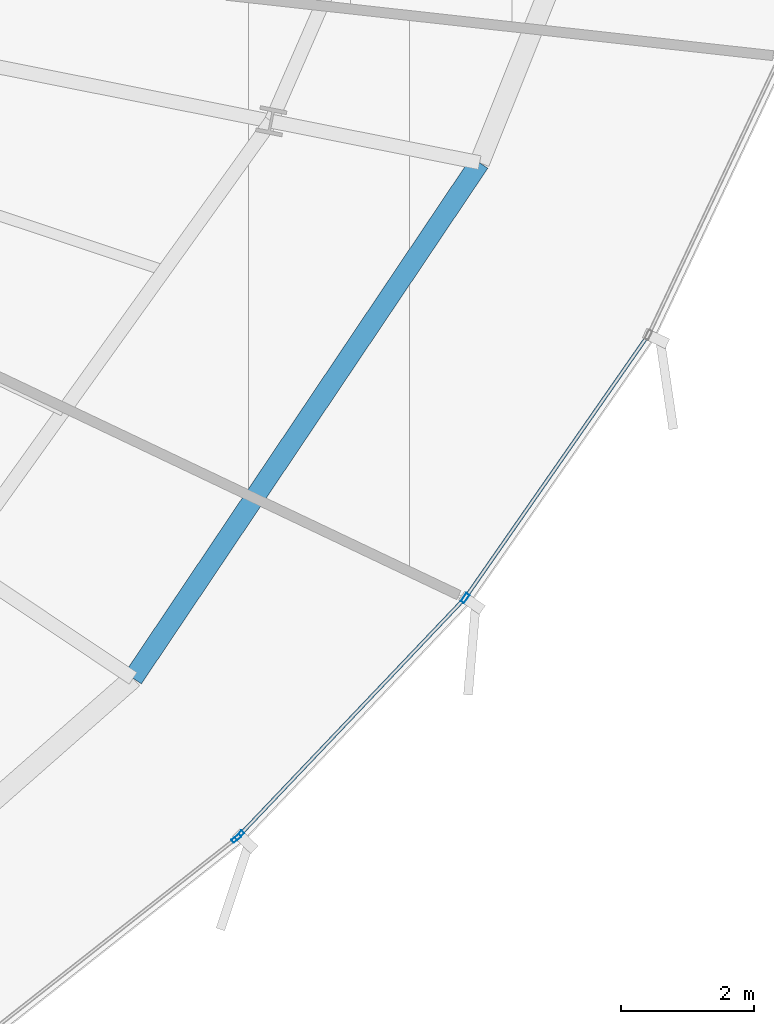
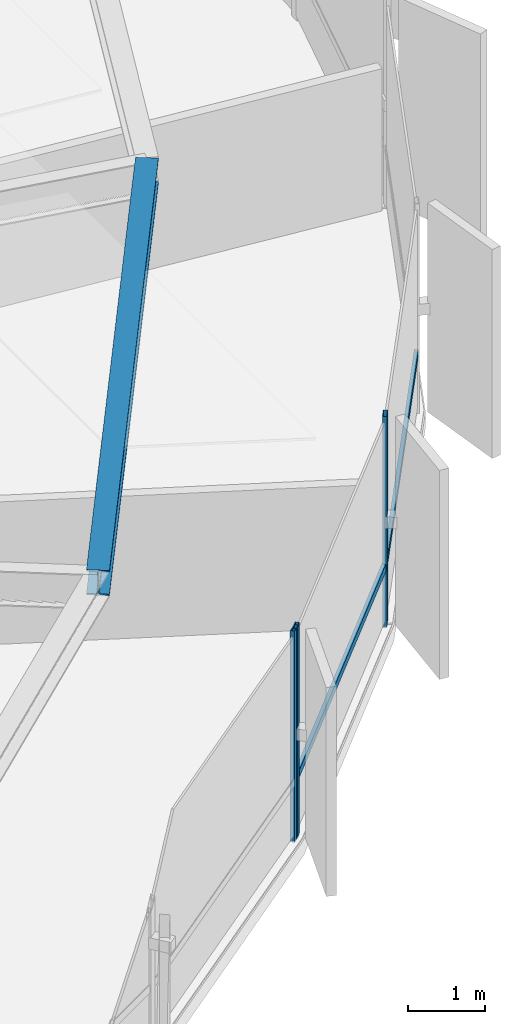
# One storey, part 14 of 35: 5 members, 1 beam, 2 elements without a shape of their own.
"""IFC4 building model written with IfcOpenShell, lengths in metres."""

from ifc_helpers import new_model, si_unit, direction, frame, origin, origin_2d, place, context, subcontext, project, spatial, hollow_rectangle, i_section, extrude, source, transform, mapped, material, layer, layer_set, material_profile, profile_set, type_object, element, aggregate, save


model = new_model("IFC4")

# Units and contexts
model_context = context("Model", 3, precision=1e-05, world=origin(), true_north=direction((0.0, 1.0)))
body_context = subcontext(model_context, "Body", "Model", "MODEL_VIEW")
ifc_project = project(units=[si_unit("LENGTHUNIT", "METRE"), si_unit("AREAUNIT", "SQUARE_METRE"), si_unit("VOLUMEUNIT", "CUBIC_METRE"), si_unit("PLANEANGLEUNIT", "RADIAN"), si_unit("MASSUNIT", "GRAM", prefix="KILO"), si_unit("THERMODYNAMICTEMPERATUREUNIT", "KELVIN")], contexts=[model_context])

# Site, building, storey
site_placement = place(None, origin())
site = spatial("IfcSite", under=ifc_project, at=site_placement, CompositionType="ELEMENT")
building_placement = place(site_placement, origin())
building = spatial("IfcBuilding", under=site, at=building_placement, Name="Kethvar Cultural Tower", CompositionType="ELEMENT")
storey_placement = place(building_placement, frame((0.0, 0.0, 107.199951171875)))
storey = spatial("IfcBuildingStorey", under=building, at=storey_placement, Name="L26", CompositionType="ELEMENT", Elevation=107.199951171875)

# Beam
ifc_material_1 = material(Name="Steel S355J2", Category="steel")
ifc_material_profile_1 = material_profile(ifc_material_1, i_section(OverallWidth=0.300048828125, OverallDepth=0.39990234375, WebThickness=0.013427734375, FlangeThickness=0.02392578125, FilletRadius=0.027099609375, at=origin_2d()), Name="Steel S355J2 — HEB400")
ifc_profile_set_1 = profile_set([ifc_material_profile_1], Name="Steel S355J2 — HEB400")
beam_type = type_object("IfcBeamType", Name="BM-SP400", PredefinedType="SPANDREL", material=ifc_profile_set_1)
shared_shape_1 = source(origin(), body_context, "Body", "SweptSolid", [
    extrude(i_section(OverallWidth=0.300048828125, OverallDepth=0.39990234375, WebThickness=0.013427734375, FlangeThickness=0.02392578125, FilletRadius=0.027099609375, at=origin_2d()), origin(), (0.0, 0.0, 1.0), 9.355224609375),
])
beam_placement = place(storey_placement, frame((65.559326171875, 15.265380859375, 3.14794921875), z_axis=(0.557731714622, 0.830021285573, 0.0), x_axis=(-0.830021285573, 0.557731714622, 0.0)))
element("IfcBeam", 1, at=beam_placement, inside=storey, type_object=beam_type, Name="L26 Perimeter Spandrel Beam SP-15", PredefinedType="SPANDREL", context=body_context, shape_type="MappedRepresentation", body=[
    mapped(shared_shape_1, transform((0.0, 0.0, 0.0), scale=1.0)),
])

# Curtain wall, member
ifc_material_2 = material(Name="Aluminium 6063-T6", Category="aluminium")
ifc_layer = layer(ifc_material_2, 0.179931640625, Name="Aluminium 6063-T6", Category="aluminium")
ifc_layer_set = layer_set([ifc_layer], Name="Aluminium 6063-T6 (180 mm)")
curtain_wall_type = type_object("IfcCurtainWallType", Name="CW-SYS-03-Z2", PredefinedType="NOTDEFINED", material=ifc_layer_set)
curtain_wall_1_placement = place(storey_placement, origin())
curtain_wall_1 = element("IfcCurtainWall", 2, at=curtain_wall_1_placement, inside=storey, type_object=curtain_wall_type, Name="L26 Curtain Wall Run 05", PredefinedType="NOTDEFINED")
ifc_material_profile_2 = material_profile(ifc_material_2, hollow_rectangle(XDim=0.06005859375, YDim=0.14990234375, WallThickness=0.0048828125, at=origin_2d()), Name="Aluminium 6063-T6 — RHS150x60x5")
ifc_profile_set_2 = profile_set([ifc_material_profile_2], Name="Aluminium 6063-T6 — RHS150x60x5")
member_type_1 = type_object("IfcMemberType", Name="CW-SYS-03-Z2-MUL", PredefinedType="MULLION", material=ifc_profile_set_2)
shared_shape_2 = source(origin(), body_context, "Body", "SweptSolid", [
    extrude(hollow_rectangle(XDim=0.06005859375, YDim=0.14990234375, WallThickness=0.0048828125, at=origin_2d()), origin(), (0.0, 0.0, 1.0), 3.35009765625),
])
member_1_placement = place(storey_placement, frame((67.1142578125, 12.857666015625, 0.0), z_axis=(0.0, 0.0, 1.0), x_axis=(-0.618668961365, 0.78565177798, 0.0)))
member_1 = element("IfcMember", 3, at=member_1_placement, type_object=member_type_1, Name="CW-L26-R05 Mullion 7", PredefinedType="MULLION", context=body_context, shape_type="MappedRepresentation", body=[
    mapped(shared_shape_2, transform((0.0, 0.0, 0.0), scale=1.0)),
])
aggregate(curtain_wall_1, [member_1])

# Curtain wall, members
curtain_wall_2_placement = place(storey_placement, origin())
curtain_wall_2 = element("IfcCurtainWall", 4, at=curtain_wall_2_placement, inside=storey, type_object=curtain_wall_type, Name="L26 Curtain Wall Run 06", PredefinedType="NOTDEFINED")
member_2_placement = place(storey_placement, frame((67.159423828125, 12.89892578125, 0.0), z_axis=(0.0, 0.0, 1.0), x_axis=(-0.724701237641, 0.689063216376, 0.0)))
member_2 = element("IfcMember", 5, at=member_2_placement, type_object=member_type_1, Name="CW-L26-R06 Mullion 1", PredefinedType="MULLION", context=body_context, shape_type="MappedRepresentation", body=[
    mapped(shared_shape_2, transform((0.0, 0.0, 0.0), scale=1.0)),
])
member_3_placement = place(storey_placement, frame((70.559326171875, 16.472900390625, 0.0), z_axis=(0.0, 0.0, 1.0), x_axis=(-0.820730633656, 0.571315348104, 0.0)))
member_3 = element("IfcMember", 6, at=member_3_placement, type_object=member_type_1, Name="CW-L26-R06 Mullion 2", PredefinedType="MULLION", context=body_context, shape_type="MappedRepresentation", body=[
    mapped(shared_shape_2, transform((0.0, 0.0, 0.0), scale=1.0)),
])
ifc_material_profile_3 = material_profile(ifc_material_2, hollow_rectangle(XDim=0.054931640625, YDim=0.1201171875, WallThickness=0.00390625, at=origin_2d()), Name="Aluminium 6063-T6 — RHS120x55x4")
ifc_profile_set_3 = profile_set([ifc_material_profile_3], Name="Aluminium 6063-T6 — RHS120x55x4")
member_type_2 = type_object("IfcMemberType", Name="CW-SYS-03-Z2-TRN", PredefinedType="USERDEFINED", material=ifc_profile_set_3)
shared_shape_3 = source(origin(), body_context, "Body", "SweptSolid", [
    extrude(hollow_rectangle(XDim=0.054931640625, YDim=0.1201171875, WallThickness=0.00390625, at=origin_2d()), origin(), (0.0, 0.0, 1.0), 4.763427734375),
])
member_4_placement = place(storey_placement, frame((70.583984375, 16.50830078125, 0.949951171875), z_axis=(0.571324253497, 0.820724434488, 0.0), x_axis=(-0.820724434488, 0.571324253497, 0.0)))
member_4 = element("IfcMember", 7, at=member_4_placement, type_object=member_type_2, Name="CW-L26-R06 Transom 2", ObjectType="TRANSOM", PredefinedType="USERDEFINED", context=body_context, shape_type="MappedRepresentation", body=[
    mapped(shared_shape_3, transform((0.0, 0.0, 0.0), scale=1.0)),
])
shared_shape_4 = source(origin(), body_context, "Body", "SweptSolid", [
    extrude(hollow_rectangle(XDim=0.054931640625, YDim=0.1201171875, WallThickness=0.00390625, at=origin_2d()), origin(), (0.0, 0.0, 1.0), 4.90283203125),
])
member_5_placement = place(storey_placement, frame((67.162353515625, 12.902099609375, 0.949951171875), z_axis=(0.689080492611, 0.724684810592, 0.0), x_axis=(-0.724684810592, 0.689080492611, 0.0)))
member_5 = element("IfcMember", 8, at=member_5_placement, type_object=member_type_2, Name="CW-L26-R06 Transom 1", ObjectType="TRANSOM", PredefinedType="USERDEFINED", context=body_context, shape_type="MappedRepresentation", body=[
    mapped(shared_shape_4, transform((0.0, 0.0, 0.0), scale=1.0)),
])
aggregate(curtain_wall_2, [member_2, member_3, member_5, member_4])

save(model, "model.ifc")
